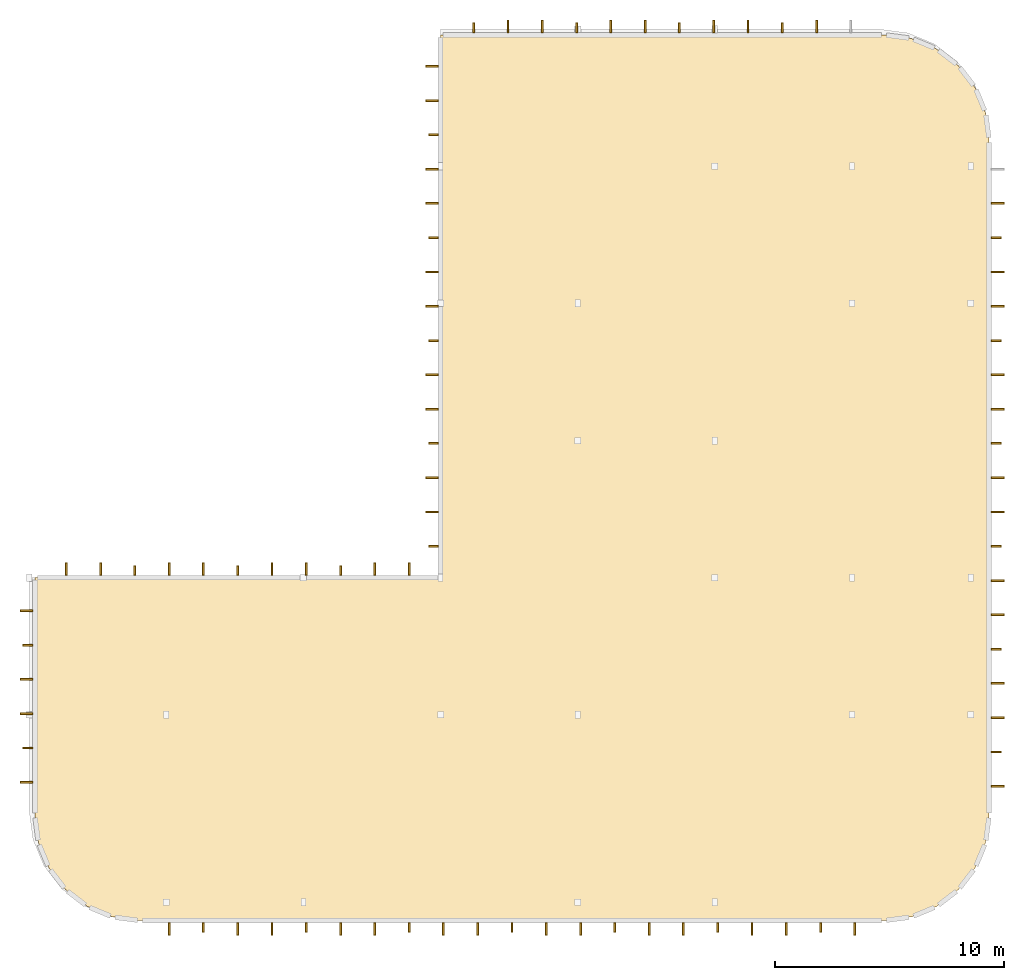
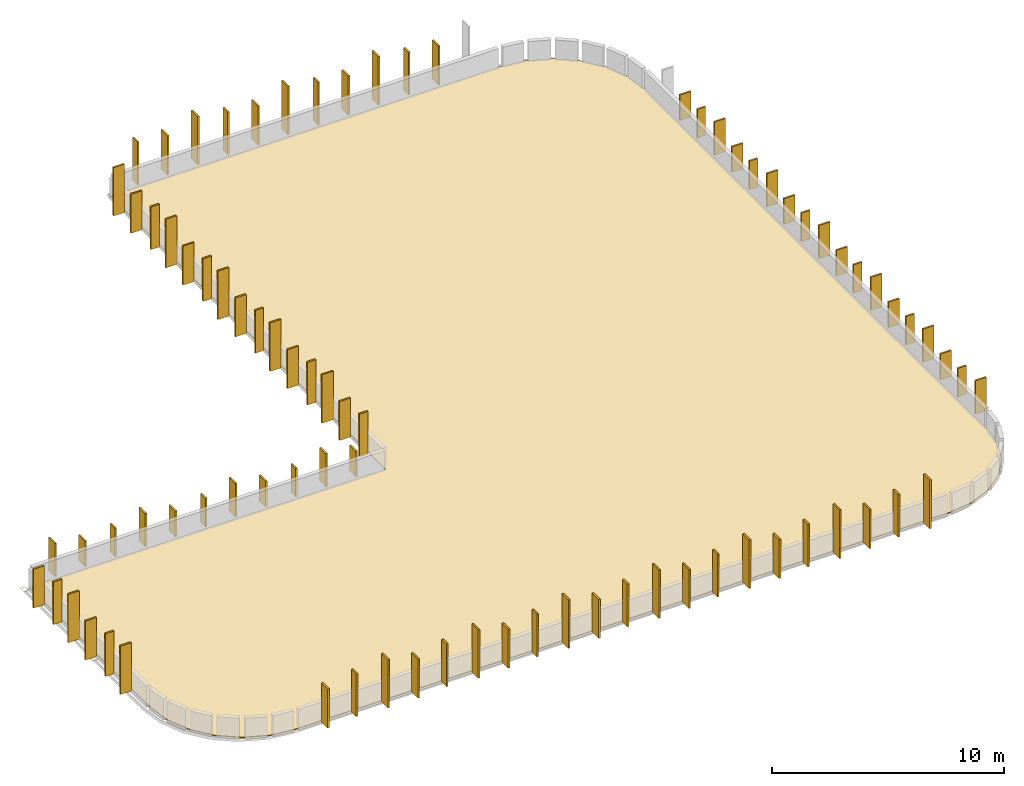
# One storey, part 2 of 3: 83 coverings.
"""IFC4 building model written with IfcOpenShell, lengths in metres."""

from ifc_helpers import new_model, si_unit, direction, frame, origin, origin_2d, place, context, subcontext, project, spatial, polyline, rectangle, outline, extrude, material, layer, layer_set, type_object, element, save


model = new_model("IFC4")

# Units and contexts
model_context = context("Model", 3, precision=1e-05, world=origin(), true_north=direction((0.0, 1.0)))
body_context = subcontext(model_context, "Body", "Model", "MODEL_VIEW")
ifc_project = project(units=[si_unit("LENGTHUNIT", "METRE"), si_unit("AREAUNIT", "SQUARE_METRE"), si_unit("VOLUMEUNIT", "CUBIC_METRE"), si_unit("PLANEANGLEUNIT", "RADIAN"), si_unit("MASSUNIT", "GRAM", prefix="KILO")], contexts=[model_context])

# Site, building, storey
site_placement = place(None, origin())
site = spatial("IfcSite", under=ifc_project, at=site_placement, CompositionType="ELEMENT")
building_placement = place(site_placement, origin())
building = spatial("IfcBuilding", under=site, at=building_placement, Name="Varnakota Square Police Headquarters", CompositionType="ELEMENT")
storey_placement = place(building_placement, frame((0.0, 0.0, 34.199951171875)))
storey = spatial("IfcBuildingStorey", under=building, at=storey_placement, Name="RF", CompositionType="ELEMENT", Elevation=34.199951171875)

# Coverings
ifc_material_1 = material(Name="White Anodised Aluminium Vertical Facade Blade 420", Category="aluminium")
ifc_layer_1 = layer(ifc_material_1, 0.0849609375, Name="White Anodised Aluminium Vertical Facade Blade 420")
ifc_layer_set_1 = layer_set([ifc_layer_1], Name="White Anodised Aluminium Vertical Facade Blade 420")
covering_type_1 = type_object("IfcCoveringType", Name="COV-FIN-420", PredefinedType="CLADDING", material=ifc_layer_set_1)
for number, where, z_axis, x_axis, name in (
    (1, (127.625, -0.31005859375, 0.050048828125), (0.0, 0.0, 1.0), (1.0, 0.0, 0.0), "Vertical aluminium facade fin FIN-1566"),
    (2, (132.125, -0.31005859375, 0.050048828125), (0.0, 0.0, 1.0), (1.0, 0.0, 0.0), "Vertical aluminium facade fin FIN-1569"),
    (3, (136.625, -0.31005859375, 0.050048828125), (0.0, 0.0, 1.0), (1.0, 0.0, 0.0), "Vertical aluminium facade fin FIN-1572"),
    (4, (141.125, -0.31005859375, 0.050048828125), (0.0, 0.0, 1.0), (1.0, 0.0, 0.0), "Vertical aluminium facade fin FIN-1575"),
    (5, (145.625, -0.31005859375, 0.050048828125), (0.0, 0.0, 1.0), (1.0, 0.0, 0.0), "Vertical aluminium facade fin FIN-1578"),
    (6, (150.125, -0.31005859375, 0.050048828125), (0.0, 0.0, 1.0), (1.0, 0.0, 0.0), "Vertical aluminium facade fin FIN-1581"),
    (7, (154.625, -0.31005859375, 0.050048828125), (0.0, 0.0, 1.0), (1.0, 0.0, 0.0), "Vertical aluminium facade fin FIN-1584"),
):
    element("IfcCovering", number, at=place(storey_placement, frame(where, z_axis=z_axis, x_axis=x_axis)), inside=storey, type_object=covering_type_1, Name=name, PredefinedType="CLADDING", context=body_context, shape_type="SweptSolid", body=[
        extrude(rectangle(XDim=0.0849609375, YDim=0.419921875, at=origin_2d()), origin(), (0.0, 0.0, 1.0), 2.25),
    ])
for number, where, z_axis, x_axis, name in (
    (8, (162.31005859375, 7.375, 0.050048828125), (0.0, 0.0, 1.0), (0.0, 1.0, 0.0), "Vertical aluminium facade fin FIN-1587"),
    (9, (162.31005859375, 11.875, 0.050048828125), (0.0, 0.0, 1.0), (0.0, 1.0, 0.0), "Vertical aluminium facade fin FIN-1590"),
    (10, (162.31005859375, 16.375, 0.050048828125), (0.0, 0.0, 1.0), (0.0, 1.0, 0.0), "Vertical aluminium facade fin FIN-1593"),
    (11, (162.31005859375, 20.875, 0.050048828125), (0.0, 0.0, 1.0), (0.0, 1.0, 0.0), "Vertical aluminium facade fin FIN-1596"),
    (12, (162.31005859375, 25.375, 0.050048828125), (0.0, 0.0, 1.0), (0.0, 1.0, 0.0), "Vertical aluminium facade fin FIN-1599"),
    (13, (162.31005859375, 29.875, 0.050048828125), (0.0, 0.0, 1.0), (0.0, 1.0, 0.0), "Vertical aluminium facade fin FIN-1602"),
):
    element("IfcCovering", number, at=place(storey_placement, frame(where, z_axis=z_axis, x_axis=x_axis)), inside=storey, type_object=covering_type_1, Name=name, PredefinedType="CLADDING", context=body_context, shape_type="SweptSolid", body=[
        extrude(rectangle(XDim=0.0849609375, YDim=0.419921875, at=origin_2d()), origin(), (0.0, 0.0, 1.0), 1.5),
    ])
for number, where, z_axis, x_axis, name in (
    (14, (152.949951171875, 39.06005859375, 0.050048828125), (0.0, 0.0, 1.0), (-1.0, 0.0, 0.0), "Vertical aluminium facade fin FIN-1607"),
    (15, (148.449951171875, 39.06005859375, 0.050048828125), (0.0, 0.0, 1.0), (-1.0, 0.0, 0.0), "Vertical aluminium facade fin FIN-1610"),
    (16, (143.949951171875, 39.06005859375, 0.050048828125), (0.0, 0.0, 1.0), (-1.0, 0.0, 0.0), "Vertical aluminium facade fin FIN-1613"),
    (17, (139.449951171875, 39.06005859375, 0.050048828125), (0.0, 0.0, 1.0), (-1.0, 0.0, 0.0), "Vertical aluminium facade fin FIN-1616"),
    (18, (137.68994140625, 34.375, 0.050048828125), (0.0, 0.0, 1.0), (0.0, -1.0, 0.0), "Vertical aluminium facade fin FIN-1619"),
    (19, (137.68994140625, 29.875, 0.050048828125), (0.0, 0.0, 1.0), (0.0, -1.0, 0.0), "Vertical aluminium facade fin FIN-1622"),
    (20, (137.68994140625, 25.375, 0.050048828125), (0.0, 0.0, 1.0), (0.0, -1.0, 0.0), "Vertical aluminium facade fin FIN-1625"),
    (21, (137.68994140625, 20.875, 0.050048828125), (0.0, 0.0, 1.0), (0.0, -1.0, 0.0), "Vertical aluminium facade fin FIN-1628"),
    (22, (137.68994140625, 16.375, 0.050048828125), (0.0, 0.0, 1.0), (0.0, -1.0, 0.0), "Vertical aluminium facade fin FIN-1631"),
):
    element("IfcCovering", number, at=place(storey_placement, frame(where, z_axis=z_axis, x_axis=x_axis)), inside=storey, type_object=covering_type_1, Name=name, PredefinedType="CLADDING", context=body_context, shape_type="SweptSolid", body=[
        extrude(rectangle(XDim=0.0849609375, YDim=0.419921875, at=origin_2d()), origin(), (0.0, 0.0, 1.0), 2.25),
    ])
for number, where, z_axis, x_axis, name in (
    (23, (133.625, 15.31005859375, 0.050048828125), (0.0, 0.0, 1.0), (-1.0, 0.0, 0.0), "Vertical aluminium facade fin FIN-1634"),
    (24, (129.125, 15.31005859375, 0.050048828125), (0.0, 0.0, 1.0), (-1.0, 0.0, 0.0), "Vertical aluminium facade fin FIN-1637"),
    (25, (124.625, 15.31005859375, 0.050048828125), (0.0, 0.0, 1.0), (-1.0, 0.0, 0.0), "Vertical aluminium facade fin FIN-1640"),
):
    element("IfcCovering", number, at=place(storey_placement, frame(where, z_axis=z_axis, x_axis=x_axis)), inside=storey, type_object=covering_type_1, Name=name, PredefinedType="CLADDING", context=body_context, shape_type="SweptSolid", body=[
        extrude(rectangle(XDim=0.0849609375, YDim=0.419921875, at=origin_2d()), origin(), (0.0, 0.0, 1.0), 1.5),
    ])
for number, where, z_axis, x_axis, name in (
    (26, (119.93994140625, 12.050048828125, 0.050048828125), (0.0, 0.0, 1.0), (0.0, -1.0, 0.0), "Vertical aluminium facade fin FIN-1644"),
    (27, (119.93994140625, 7.550048828125, 0.050048828125), (0.0, 0.0, 1.0), (0.0, -1.0, 0.0), "Vertical aluminium facade fin FIN-1647"),
):
    element("IfcCovering", number, at=place(storey_placement, frame(where, z_axis=z_axis, x_axis=x_axis)), inside=storey, type_object=covering_type_1, Name=name, PredefinedType="CLADDING", context=body_context, shape_type="SweptSolid", body=[
        extrude(rectangle(XDim=0.0849609375, YDim=0.419921875, at=origin_2d()), origin(), (0.0, 0.0, 1.0), 2.25),
    ])
ifc_material_2 = material(Name="White Anodised Aluminium Vertical Facade Blade 550", Category="aluminium")
ifc_layer_2 = layer(ifc_material_2, 0.0849609375, Name="White Anodised Aluminium Vertical Facade Blade 550")
ifc_layer_set_2 = layer_set([ifc_layer_2], Name="White Anodised Aluminium Vertical Facade Blade 550")
covering_type_2 = type_object("IfcCoveringType", Name="COV-FIN-550", PredefinedType="CLADDING", material=ifc_layer_set_2)
covering_1_placement = place(storey_placement, frame((126.125, -0.375, 0.0498046875), z_axis=(0.0, 0.0, 1.0), x_axis=(1.0, 0.0, 0.0)))
element("IfcCovering", 28, at=covering_1_placement, inside=storey, type_object=covering_type_2, Name="Vertical aluminium facade fin FIN-1565", PredefinedType="CLADDING", context=body_context, shape_type="SweptSolid", body=[
    extrude(rectangle(XDim=0.0849609375, YDim=0.550048828125, at=origin_2d()), origin(), (0.0, 0.0, 1.0), 2.050048828125),
])
covering_2_placement = place(storey_placement, frame((129.125, -0.375, 0.0498046875), z_axis=(0.0, 0.0, 1.0), x_axis=(1.0, 0.0, 0.0)))
element("IfcCovering", 29, at=covering_2_placement, inside=storey, type_object=covering_type_2, Name="Vertical aluminium facade fin FIN-1567", PredefinedType="CLADDING", context=body_context, shape_type="SweptSolid", body=[
    extrude(rectangle(XDim=0.0849609375, YDim=0.550048828125, at=origin_2d()), origin(), (0.0, 0.0, 1.0), 2.550048828125),
])
covering_3_placement = place(storey_placement, frame((130.625, -0.375, 0.0498046875), z_axis=(0.0, 0.0, 1.0), x_axis=(1.0, 0.0, 0.0)))
element("IfcCovering", 30, at=covering_3_placement, inside=storey, type_object=covering_type_2, Name="Vertical aluminium facade fin FIN-1568", PredefinedType="CLADDING", context=body_context, shape_type="SweptSolid", body=[
    extrude(rectangle(XDim=0.0849609375, YDim=0.550048828125, at=origin_2d()), origin(), (0.0, 0.0, 1.0), 2.050048828125),
])
covering_4_placement = place(storey_placement, frame((133.625, -0.375, 0.0498046875), z_axis=(0.0, 0.0, 1.0), x_axis=(1.0, 0.0, 0.0)))
element("IfcCovering", 31, at=covering_4_placement, inside=storey, type_object=covering_type_2, Name="Vertical aluminium facade fin FIN-1570", PredefinedType="CLADDING", context=body_context, shape_type="SweptSolid", body=[
    extrude(rectangle(XDim=0.0849609375, YDim=0.550048828125, at=origin_2d()), origin(), (0.0, 0.0, 1.0), 2.550048828125),
])
covering_5_placement = place(storey_placement, frame((135.125, -0.375, 0.0498046875), z_axis=(0.0, 0.0, 1.0), x_axis=(1.0, 0.0, 0.0)))
element("IfcCovering", 32, at=covering_5_placement, inside=storey, type_object=covering_type_2, Name="Vertical aluminium facade fin FIN-1571", PredefinedType="CLADDING", context=body_context, shape_type="SweptSolid", body=[
    extrude(rectangle(XDim=0.0849609375, YDim=0.550048828125, at=origin_2d()), origin(), (0.0, 0.0, 1.0), 2.050048828125),
])
covering_6_placement = place(storey_placement, frame((138.125, -0.375, 0.0498046875), z_axis=(0.0, 0.0, 1.0), x_axis=(1.0, 0.0, 0.0)))
element("IfcCovering", 33, at=covering_6_placement, inside=storey, type_object=covering_type_2, Name="Vertical aluminium facade fin FIN-1573", PredefinedType="CLADDING", context=body_context, shape_type="SweptSolid", body=[
    extrude(rectangle(XDim=0.0849609375, YDim=0.550048828125, at=origin_2d()), origin(), (0.0, 0.0, 1.0), 2.550048828125),
])
covering_7_placement = place(storey_placement, frame((139.625, -0.375, 0.0498046875), z_axis=(0.0, 0.0, 1.0), x_axis=(1.0, 0.0, 0.0)))
element("IfcCovering", 34, at=covering_7_placement, inside=storey, type_object=covering_type_2, Name="Vertical aluminium facade fin FIN-1574", PredefinedType="CLADDING", context=body_context, shape_type="SweptSolid", body=[
    extrude(rectangle(XDim=0.0849609375, YDim=0.550048828125, at=origin_2d()), origin(), (0.0, 0.0, 1.0), 2.050048828125),
])
covering_8_placement = place(storey_placement, frame((142.625, -0.375, 0.0498046875), z_axis=(0.0, 0.0, 1.0), x_axis=(1.0, 0.0, 0.0)))
element("IfcCovering", 35, at=covering_8_placement, inside=storey, type_object=covering_type_2, Name="Vertical aluminium facade fin FIN-1576", PredefinedType="CLADDING", context=body_context, shape_type="SweptSolid", body=[
    extrude(rectangle(XDim=0.0849609375, YDim=0.550048828125, at=origin_2d()), origin(), (0.0, 0.0, 1.0), 2.550048828125),
])
covering_9_placement = place(storey_placement, frame((144.125, -0.375, 0.0498046875), z_axis=(0.0, 0.0, 1.0), x_axis=(1.0, 0.0, 0.0)))
element("IfcCovering", 36, at=covering_9_placement, inside=storey, type_object=covering_type_2, Name="Vertical aluminium facade fin FIN-1577", PredefinedType="CLADDING", context=body_context, shape_type="SweptSolid", body=[
    extrude(rectangle(XDim=0.0849609375, YDim=0.550048828125, at=origin_2d()), origin(), (0.0, 0.0, 1.0), 2.050048828125),
])
covering_10_placement = place(storey_placement, frame((147.125, -0.375, 0.0498046875), z_axis=(0.0, 0.0, 1.0), x_axis=(1.0, 0.0, 0.0)))
element("IfcCovering", 37, at=covering_10_placement, inside=storey, type_object=covering_type_2, Name="Vertical aluminium facade fin FIN-1579", PredefinedType="CLADDING", context=body_context, shape_type="SweptSolid", body=[
    extrude(rectangle(XDim=0.0849609375, YDim=0.550048828125, at=origin_2d()), origin(), (0.0, 0.0, 1.0), 2.550048828125),
])
covering_11_placement = place(storey_placement, frame((148.625, -0.375, 0.0498046875), z_axis=(0.0, 0.0, 1.0), x_axis=(1.0, 0.0, 0.0)))
element("IfcCovering", 38, at=covering_11_placement, inside=storey, type_object=covering_type_2, Name="Vertical aluminium facade fin FIN-1580", PredefinedType="CLADDING", context=body_context, shape_type="SweptSolid", body=[
    extrude(rectangle(XDim=0.0849609375, YDim=0.550048828125, at=origin_2d()), origin(), (0.0, 0.0, 1.0), 2.050048828125),
])
covering_12_placement = place(storey_placement, frame((151.625, -0.375, 0.0498046875), z_axis=(0.0, 0.0, 1.0), x_axis=(1.0, 0.0, 0.0)))
element("IfcCovering", 39, at=covering_12_placement, inside=storey, type_object=covering_type_2, Name="Vertical aluminium facade fin FIN-1582", PredefinedType="CLADDING", context=body_context, shape_type="SweptSolid", body=[
    extrude(rectangle(XDim=0.0849609375, YDim=0.550048828125, at=origin_2d()), origin(), (0.0, 0.0, 1.0), 2.550048828125),
])
covering_13_placement = place(storey_placement, frame((153.125, -0.375, 0.0498046875), z_axis=(0.0, 0.0, 1.0), x_axis=(1.0, 0.0, 0.0)))
element("IfcCovering", 40, at=covering_13_placement, inside=storey, type_object=covering_type_2, Name="Vertical aluminium facade fin FIN-1583", PredefinedType="CLADDING", context=body_context, shape_type="SweptSolid", body=[
    extrude(rectangle(XDim=0.0849609375, YDim=0.550048828125, at=origin_2d()), origin(), (0.0, 0.0, 1.0), 2.050048828125),
])
covering_14_placement = place(storey_placement, frame((156.125, -0.375, 0.0498046875), z_axis=(0.0, 0.0, 1.0), x_axis=(1.0, 0.0, 0.0)))
element("IfcCovering", 41, at=covering_14_placement, inside=storey, type_object=covering_type_2, Name="Vertical aluminium facade fin FIN-1585", PredefinedType="CLADDING", context=body_context, shape_type="SweptSolid", body=[
    extrude(rectangle(XDim=0.0849609375, YDim=0.550048828125, at=origin_2d()), origin(), (0.0, 0.0, 1.0), 2.550048828125),
])
covering_15_placement = place(storey_placement, frame((162.375, 5.875, 0.050048828125), z_axis=(0.0, 0.0, 1.0), x_axis=(0.0, 1.0, 0.0)))
element("IfcCovering", 42, at=covering_15_placement, inside=storey, type_object=covering_type_2, Name="Vertical aluminium facade fin FIN-1586", PredefinedType="CLADDING", context=body_context, shape_type="SweptSolid", body=[
    extrude(rectangle(XDim=0.0849609375, YDim=0.550048828125, at=origin_2d()), origin(), (0.0, 0.0, 1.0), 1.75),
])
covering_16_placement = place(storey_placement, frame((162.375, 8.875, 0.050048828125), z_axis=(0.0, 0.0, 1.0), x_axis=(0.0, 1.0, 0.0)))
element("IfcCovering", 43, at=covering_16_placement, inside=storey, type_object=covering_type_2, Name="Vertical aluminium facade fin FIN-1588", PredefinedType="CLADDING", context=body_context, shape_type="SweptSolid", body=[
    extrude(rectangle(XDim=0.0849609375, YDim=0.550048828125, at=origin_2d()), origin(), (0.0, 0.0, 1.0), 1.35009765625),
])
covering_17_placement = place(storey_placement, frame((162.375, 10.375, 0.050048828125), z_axis=(0.0, 0.0, 1.0), x_axis=(0.0, 1.0, 0.0)))
element("IfcCovering", 44, at=covering_17_placement, inside=storey, type_object=covering_type_2, Name="Vertical aluminium facade fin FIN-1589", PredefinedType="CLADDING", context=body_context, shape_type="SweptSolid", body=[
    extrude(rectangle(XDim=0.0849609375, YDim=0.550048828125, at=origin_2d()), origin(), (0.0, 0.0, 1.0), 1.75),
])
covering_18_placement = place(storey_placement, frame((162.375, 13.375, 0.050048828125), z_axis=(0.0, 0.0, 1.0), x_axis=(0.0, 1.0, 0.0)))
element("IfcCovering", 45, at=covering_18_placement, inside=storey, type_object=covering_type_2, Name="Vertical aluminium facade fin FIN-1591", PredefinedType="CLADDING", context=body_context, shape_type="SweptSolid", body=[
    extrude(rectangle(XDim=0.0849609375, YDim=0.550048828125, at=origin_2d()), origin(), (0.0, 0.0, 1.0), 1.35009765625),
])
covering_19_placement = place(storey_placement, frame((162.375, 14.875, 0.050048828125), z_axis=(0.0, 0.0, 1.0), x_axis=(0.0, 1.0, 0.0)))
element("IfcCovering", 46, at=covering_19_placement, inside=storey, type_object=covering_type_2, Name="Vertical aluminium facade fin FIN-1592", PredefinedType="CLADDING", context=body_context, shape_type="SweptSolid", body=[
    extrude(rectangle(XDim=0.0849609375, YDim=0.550048828125, at=origin_2d()), origin(), (0.0, 0.0, 1.0), 1.75),
])
covering_20_placement = place(storey_placement, frame((162.375, 17.875, 0.050048828125), z_axis=(0.0, 0.0, 1.0), x_axis=(0.0, 1.0, 0.0)))
element("IfcCovering", 47, at=covering_20_placement, inside=storey, type_object=covering_type_2, Name="Vertical aluminium facade fin FIN-1594", PredefinedType="CLADDING", context=body_context, shape_type="SweptSolid", body=[
    extrude(rectangle(XDim=0.0849609375, YDim=0.550048828125, at=origin_2d()), origin(), (0.0, 0.0, 1.0), 1.35009765625),
])
covering_21_placement = place(storey_placement, frame((162.375, 19.375, 0.050048828125), z_axis=(0.0, 0.0, 1.0), x_axis=(0.0, 1.0, 0.0)))
element("IfcCovering", 48, at=covering_21_placement, inside=storey, type_object=covering_type_2, Name="Vertical aluminium facade fin FIN-1595", PredefinedType="CLADDING", context=body_context, shape_type="SweptSolid", body=[
    extrude(rectangle(XDim=0.0849609375, YDim=0.550048828125, at=origin_2d()), origin(), (0.0, 0.0, 1.0), 1.75),
])
covering_22_placement = place(storey_placement, frame((162.375, 22.375, 0.050048828125), z_axis=(0.0, 0.0, 1.0), x_axis=(0.0, 1.0, 0.0)))
element("IfcCovering", 49, at=covering_22_placement, inside=storey, type_object=covering_type_2, Name="Vertical aluminium facade fin FIN-1597", PredefinedType="CLADDING", context=body_context, shape_type="SweptSolid", body=[
    extrude(rectangle(XDim=0.0849609375, YDim=0.550048828125, at=origin_2d()), origin(), (0.0, 0.0, 1.0), 1.35009765625),
])
covering_23_placement = place(storey_placement, frame((162.375, 23.875, 0.050048828125), z_axis=(0.0, 0.0, 1.0), x_axis=(0.0, 1.0, 0.0)))
element("IfcCovering", 50, at=covering_23_placement, inside=storey, type_object=covering_type_2, Name="Vertical aluminium facade fin FIN-1598", PredefinedType="CLADDING", context=body_context, shape_type="SweptSolid", body=[
    extrude(rectangle(XDim=0.0849609375, YDim=0.550048828125, at=origin_2d()), origin(), (0.0, 0.0, 1.0), 1.75),
])
covering_24_placement = place(storey_placement, frame((162.375, 26.875, 0.050048828125), z_axis=(0.0, 0.0, 1.0), x_axis=(0.0, 1.0, 0.0)))
element("IfcCovering", 51, at=covering_24_placement, inside=storey, type_object=covering_type_2, Name="Vertical aluminium facade fin FIN-1600", PredefinedType="CLADDING", context=body_context, shape_type="SweptSolid", body=[
    extrude(rectangle(XDim=0.0849609375, YDim=0.550048828125, at=origin_2d()), origin(), (0.0, 0.0, 1.0), 1.35009765625),
])
covering_25_placement = place(storey_placement, frame((162.375, 28.375, 0.050048828125), z_axis=(0.0, 0.0, 1.0), x_axis=(0.0, 1.0, 0.0)))
element("IfcCovering", 52, at=covering_25_placement, inside=storey, type_object=covering_type_2, Name="Vertical aluminium facade fin FIN-1601", PredefinedType="CLADDING", context=body_context, shape_type="SweptSolid", body=[
    extrude(rectangle(XDim=0.0849609375, YDim=0.550048828125, at=origin_2d()), origin(), (0.0, 0.0, 1.0), 1.75),
])
covering_26_placement = place(storey_placement, frame((162.375, 31.375, 0.050048828125), z_axis=(0.0, 0.0, 1.0), x_axis=(0.0, 1.0, 0.0)))
element("IfcCovering", 53, at=covering_26_placement, inside=storey, type_object=covering_type_2, Name="Vertical aluminium facade fin FIN-1603", PredefinedType="CLADDING", context=body_context, shape_type="SweptSolid", body=[
    extrude(rectangle(XDim=0.0849609375, YDim=0.550048828125, at=origin_2d()), origin(), (0.0, 0.0, 1.0), 1.35009765625),
])
covering_27_placement = place(storey_placement, frame((154.449951171875, 39.125, 0.0498046875), z_axis=(0.0, 0.0, 1.0), x_axis=(-1.0, 0.0, 0.0)))
element("IfcCovering", 54, at=covering_27_placement, inside=storey, type_object=covering_type_2, Name="Vertical aluminium facade fin FIN-1606", PredefinedType="CLADDING", context=body_context, shape_type="SweptSolid", body=[
    extrude(rectangle(XDim=0.0849609375, YDim=0.550048828125, at=origin_2d()), origin(), (0.0, 0.0, 1.0), 2.050048828125),
])
covering_28_placement = place(storey_placement, frame((151.449951171875, 39.125, 0.0498046875), z_axis=(0.0, 0.0, 1.0), x_axis=(-1.0, 0.0, 0.0)))
element("IfcCovering", 55, at=covering_28_placement, inside=storey, type_object=covering_type_2, Name="Vertical aluminium facade fin FIN-1608", PredefinedType="CLADDING", context=body_context, shape_type="SweptSolid", body=[
    extrude(rectangle(XDim=0.0849609375, YDim=0.550048828125, at=origin_2d()), origin(), (0.0, 0.0, 1.0), 2.550048828125),
])
covering_29_placement = place(storey_placement, frame((149.949951171875, 39.125, 0.0498046875), z_axis=(0.0, 0.0, 1.0), x_axis=(-1.0, 0.0, 0.0)))
element("IfcCovering", 56, at=covering_29_placement, inside=storey, type_object=covering_type_2, Name="Vertical aluminium facade fin FIN-1609", PredefinedType="CLADDING", context=body_context, shape_type="SweptSolid", body=[
    extrude(rectangle(XDim=0.0849609375, YDim=0.550048828125, at=origin_2d()), origin(), (0.0, 0.0, 1.0), 2.050048828125),
])
covering_30_placement = place(storey_placement, frame((146.949951171875, 39.125, 0.0498046875), z_axis=(0.0, 0.0, 1.0), x_axis=(-1.0, 0.0, 0.0)))
element("IfcCovering", 57, at=covering_30_placement, inside=storey, type_object=covering_type_2, Name="Vertical aluminium facade fin FIN-1611", PredefinedType="CLADDING", context=body_context, shape_type="SweptSolid", body=[
    extrude(rectangle(XDim=0.0849609375, YDim=0.550048828125, at=origin_2d()), origin(), (0.0, 0.0, 1.0), 2.550048828125),
])
covering_31_placement = place(storey_placement, frame((145.449951171875, 39.125, 0.0498046875), z_axis=(0.0, 0.0, 1.0), x_axis=(-1.0, 0.0, 0.0)))
element("IfcCovering", 58, at=covering_31_placement, inside=storey, type_object=covering_type_2, Name="Vertical aluminium facade fin FIN-1612", PredefinedType="CLADDING", context=body_context, shape_type="SweptSolid", body=[
    extrude(rectangle(XDim=0.0849609375, YDim=0.550048828125, at=origin_2d()), origin(), (0.0, 0.0, 1.0), 2.050048828125),
])
covering_32_placement = place(storey_placement, frame((142.449951171875, 39.125, 0.0498046875), z_axis=(0.0, 0.0, 1.0), x_axis=(-1.0, 0.0, 0.0)))
element("IfcCovering", 59, at=covering_32_placement, inside=storey, type_object=covering_type_2, Name="Vertical aluminium facade fin FIN-1614", PredefinedType="CLADDING", context=body_context, shape_type="SweptSolid", body=[
    extrude(rectangle(XDim=0.0849609375, YDim=0.550048828125, at=origin_2d()), origin(), (0.0, 0.0, 1.0), 2.550048828125),
])
covering_33_placement = place(storey_placement, frame((140.949951171875, 39.125, 0.0498046875), z_axis=(0.0, 0.0, 1.0), x_axis=(-1.0, 0.0, 0.0)))
element("IfcCovering", 60, at=covering_33_placement, inside=storey, type_object=covering_type_2, Name="Vertical aluminium facade fin FIN-1615", PredefinedType="CLADDING", context=body_context, shape_type="SweptSolid", body=[
    extrude(rectangle(XDim=0.0849609375, YDim=0.550048828125, at=origin_2d()), origin(), (0.0, 0.0, 1.0), 2.050048828125),
])
covering_34_placement = place(storey_placement, frame((137.625, 37.375, 0.0498046875), z_axis=(0.0, 0.0, 1.0), x_axis=(0.0, -1.0, 0.0)))
element("IfcCovering", 61, at=covering_34_placement, inside=storey, type_object=covering_type_2, Name="Vertical aluminium facade fin FIN-1617", PredefinedType="CLADDING", context=body_context, shape_type="SweptSolid", body=[
    extrude(rectangle(XDim=0.0849609375, YDim=0.550048828125, at=origin_2d()), origin(), (0.0, 0.0, 1.0), 2.550048828125),
])
covering_35_placement = place(storey_placement, frame((137.625, 35.875, 0.0498046875), z_axis=(0.0, 0.0, 1.0), x_axis=(0.0, -1.0, 0.0)))
element("IfcCovering", 62, at=covering_35_placement, inside=storey, type_object=covering_type_2, Name="Vertical aluminium facade fin FIN-1618", PredefinedType="CLADDING", context=body_context, shape_type="SweptSolid", body=[
    extrude(rectangle(XDim=0.0849609375, YDim=0.550048828125, at=origin_2d()), origin(), (0.0, 0.0, 1.0), 2.050048828125),
])
covering_36_placement = place(storey_placement, frame((137.625, 32.875, 0.0498046875), z_axis=(0.0, 0.0, 1.0), x_axis=(0.0, -1.0, 0.0)))
element("IfcCovering", 63, at=covering_36_placement, inside=storey, type_object=covering_type_2, Name="Vertical aluminium facade fin FIN-1620", PredefinedType="CLADDING", context=body_context, shape_type="SweptSolid", body=[
    extrude(rectangle(XDim=0.0849609375, YDim=0.550048828125, at=origin_2d()), origin(), (0.0, 0.0, 1.0), 2.550048828125),
])
covering_37_placement = place(storey_placement, frame((137.625, 31.375, 0.0498046875), z_axis=(0.0, 0.0, 1.0), x_axis=(0.0, -1.0, 0.0)))
element("IfcCovering", 64, at=covering_37_placement, inside=storey, type_object=covering_type_2, Name="Vertical aluminium facade fin FIN-1621", PredefinedType="CLADDING", context=body_context, shape_type="SweptSolid", body=[
    extrude(rectangle(XDim=0.0849609375, YDim=0.550048828125, at=origin_2d()), origin(), (0.0, 0.0, 1.0), 2.050048828125),
])
covering_38_placement = place(storey_placement, frame((137.625, 28.375, 0.0498046875), z_axis=(0.0, 0.0, 1.0), x_axis=(0.0, -1.0, 0.0)))
element("IfcCovering", 65, at=covering_38_placement, inside=storey, type_object=covering_type_2, Name="Vertical aluminium facade fin FIN-1623", PredefinedType="CLADDING", context=body_context, shape_type="SweptSolid", body=[
    extrude(rectangle(XDim=0.0849609375, YDim=0.550048828125, at=origin_2d()), origin(), (0.0, 0.0, 1.0), 2.550048828125),
])
covering_39_placement = place(storey_placement, frame((137.625, 26.875, 0.0498046875), z_axis=(0.0, 0.0, 1.0), x_axis=(0.0, -1.0, 0.0)))
element("IfcCovering", 66, at=covering_39_placement, inside=storey, type_object=covering_type_2, Name="Vertical aluminium facade fin FIN-1624", PredefinedType="CLADDING", context=body_context, shape_type="SweptSolid", body=[
    extrude(rectangle(XDim=0.0849609375, YDim=0.550048828125, at=origin_2d()), origin(), (0.0, 0.0, 1.0), 2.050048828125),
])
covering_40_placement = place(storey_placement, frame((137.625, 23.875, 0.0498046875), z_axis=(0.0, 0.0, 1.0), x_axis=(0.0, -1.0, 0.0)))
element("IfcCovering", 67, at=covering_40_placement, inside=storey, type_object=covering_type_2, Name="Vertical aluminium facade fin FIN-1626", PredefinedType="CLADDING", context=body_context, shape_type="SweptSolid", body=[
    extrude(rectangle(XDim=0.0849609375, YDim=0.550048828125, at=origin_2d()), origin(), (0.0, 0.0, 1.0), 2.550048828125),
])
covering_41_placement = place(storey_placement, frame((137.625, 22.375, 0.0498046875), z_axis=(0.0, 0.0, 1.0), x_axis=(0.0, -1.0, 0.0)))
element("IfcCovering", 68, at=covering_41_placement, inside=storey, type_object=covering_type_2, Name="Vertical aluminium facade fin FIN-1627", PredefinedType="CLADDING", context=body_context, shape_type="SweptSolid", body=[
    extrude(rectangle(XDim=0.0849609375, YDim=0.550048828125, at=origin_2d()), origin(), (0.0, 0.0, 1.0), 2.050048828125),
])
covering_42_placement = place(storey_placement, frame((137.625, 19.375, 0.0498046875), z_axis=(0.0, 0.0, 1.0), x_axis=(0.0, -1.0, 0.0)))
element("IfcCovering", 69, at=covering_42_placement, inside=storey, type_object=covering_type_2, Name="Vertical aluminium facade fin FIN-1629", PredefinedType="CLADDING", context=body_context, shape_type="SweptSolid", body=[
    extrude(rectangle(XDim=0.0849609375, YDim=0.550048828125, at=origin_2d()), origin(), (0.0, 0.0, 1.0), 2.550048828125),
])
covering_43_placement = place(storey_placement, frame((137.625, 17.875, 0.0498046875), z_axis=(0.0, 0.0, 1.0), x_axis=(0.0, -1.0, 0.0)))
element("IfcCovering", 70, at=covering_43_placement, inside=storey, type_object=covering_type_2, Name="Vertical aluminium facade fin FIN-1630", PredefinedType="CLADDING", context=body_context, shape_type="SweptSolid", body=[
    extrude(rectangle(XDim=0.0849609375, YDim=0.550048828125, at=origin_2d()), origin(), (0.0, 0.0, 1.0), 2.050048828125),
])
covering_44_placement = place(storey_placement, frame((136.625, 15.375, 0.050048828125), z_axis=(0.0, 0.0, 1.0), x_axis=(-1.0, 0.0, 0.0)))
element("IfcCovering", 71, at=covering_44_placement, inside=storey, type_object=covering_type_2, Name="Vertical aluminium facade fin FIN-1632", PredefinedType="CLADDING", context=body_context, shape_type="SweptSolid", body=[
    extrude(rectangle(XDim=0.0849609375, YDim=0.550048828125, at=origin_2d()), origin(), (0.0, 0.0, 1.0), 1.35009765625),
])
covering_45_placement = place(storey_placement, frame((135.125, 15.375, 0.050048828125), z_axis=(0.0, 0.0, 1.0), x_axis=(-1.0, 0.0, 0.0)))
element("IfcCovering", 72, at=covering_45_placement, inside=storey, type_object=covering_type_2, Name="Vertical aluminium facade fin FIN-1633", PredefinedType="CLADDING", context=body_context, shape_type="SweptSolid", body=[
    extrude(rectangle(XDim=0.0849609375, YDim=0.550048828125, at=origin_2d()), origin(), (0.0, 0.0, 1.0), 1.75),
])
covering_46_placement = place(storey_placement, frame((132.125, 15.375, 0.050048828125), z_axis=(0.0, 0.0, 1.0), x_axis=(-1.0, 0.0, 0.0)))
element("IfcCovering", 73, at=covering_46_placement, inside=storey, type_object=covering_type_2, Name="Vertical aluminium facade fin FIN-1635", PredefinedType="CLADDING", context=body_context, shape_type="SweptSolid", body=[
    extrude(rectangle(XDim=0.0849609375, YDim=0.550048828125, at=origin_2d()), origin(), (0.0, 0.0, 1.0), 1.35009765625),
])
covering_47_placement = place(storey_placement, frame((130.625, 15.375, 0.050048828125), z_axis=(0.0, 0.0, 1.0), x_axis=(-1.0, 0.0, 0.0)))
element("IfcCovering", 74, at=covering_47_placement, inside=storey, type_object=covering_type_2, Name="Vertical aluminium facade fin FIN-1636", PredefinedType="CLADDING", context=body_context, shape_type="SweptSolid", body=[
    extrude(rectangle(XDim=0.0849609375, YDim=0.550048828125, at=origin_2d()), origin(), (0.0, 0.0, 1.0), 1.75),
])
covering_48_placement = place(storey_placement, frame((127.625, 15.375, 0.050048828125), z_axis=(0.0, 0.0, 1.0), x_axis=(-1.0, 0.0, 0.0)))
element("IfcCovering", 75, at=covering_48_placement, inside=storey, type_object=covering_type_2, Name="Vertical aluminium facade fin FIN-1638", PredefinedType="CLADDING", context=body_context, shape_type="SweptSolid", body=[
    extrude(rectangle(XDim=0.0849609375, YDim=0.550048828125, at=origin_2d()), origin(), (0.0, 0.0, 1.0), 1.35009765625),
])
covering_49_placement = place(storey_placement, frame((126.125, 15.375, 0.050048828125), z_axis=(0.0, 0.0, 1.0), x_axis=(-1.0, 0.0, 0.0)))
element("IfcCovering", 76, at=covering_49_placement, inside=storey, type_object=covering_type_2, Name="Vertical aluminium facade fin FIN-1639", PredefinedType="CLADDING", context=body_context, shape_type="SweptSolid", body=[
    extrude(rectangle(XDim=0.0849609375, YDim=0.550048828125, at=origin_2d()), origin(), (0.0, 0.0, 1.0), 1.75),
])
covering_50_placement = place(storey_placement, frame((123.125, 15.375, 0.050048828125), z_axis=(0.0, 0.0, 1.0), x_axis=(-1.0, 0.0, 0.0)))
element("IfcCovering", 77, at=covering_50_placement, inside=storey, type_object=covering_type_2, Name="Vertical aluminium facade fin FIN-1641", PredefinedType="CLADDING", context=body_context, shape_type="SweptSolid", body=[
    extrude(rectangle(XDim=0.0849609375, YDim=0.550048828125, at=origin_2d()), origin(), (0.0, 0.0, 1.0), 1.35009765625),
])
covering_51_placement = place(storey_placement, frame((121.625, 15.375, 0.050048828125), z_axis=(0.0, 0.0, 1.0), x_axis=(-1.0, 0.0, 0.0)))
element("IfcCovering", 78, at=covering_51_placement, inside=storey, type_object=covering_type_2, Name="Vertical aluminium facade fin FIN-1642", PredefinedType="CLADDING", context=body_context, shape_type="SweptSolid", body=[
    extrude(rectangle(XDim=0.0849609375, YDim=0.550048828125, at=origin_2d()), origin(), (0.0, 0.0, 1.0), 1.75),
])
covering_52_placement = place(storey_placement, frame((119.875, 13.550048828125, 0.0498046875), z_axis=(0.0, 0.0, 1.0), x_axis=(0.0, -1.0, 0.0)))
element("IfcCovering", 79, at=covering_52_placement, inside=storey, type_object=covering_type_2, Name="Vertical aluminium facade fin FIN-1643", PredefinedType="CLADDING", context=body_context, shape_type="SweptSolid", body=[
    extrude(rectangle(XDim=0.0849609375, YDim=0.550048828125, at=origin_2d()), origin(), (0.0, 0.0, 1.0), 2.050048828125),
])
covering_53_placement = place(storey_placement, frame((119.875, 10.550048828125, 0.0498046875), z_axis=(0.0, 0.0, 1.0), x_axis=(0.0, -1.0, 0.0)))
element("IfcCovering", 80, at=covering_53_placement, inside=storey, type_object=covering_type_2, Name="Vertical aluminium facade fin FIN-1645", PredefinedType="CLADDING", context=body_context, shape_type="SweptSolid", body=[
    extrude(rectangle(XDim=0.0849609375, YDim=0.550048828125, at=origin_2d()), origin(), (0.0, 0.0, 1.0), 2.550048828125),
])
covering_54_placement = place(storey_placement, frame((119.875, 9.050048828125, 0.0498046875), z_axis=(0.0, 0.0, 1.0), x_axis=(0.0, -1.0, 0.0)))
element("IfcCovering", 81, at=covering_54_placement, inside=storey, type_object=covering_type_2, Name="Vertical aluminium facade fin FIN-1646", PredefinedType="CLADDING", context=body_context, shape_type="SweptSolid", body=[
    extrude(rectangle(XDim=0.0849609375, YDim=0.550048828125, at=origin_2d()), origin(), (0.0, 0.0, 1.0), 2.050048828125),
])
covering_55_placement = place(storey_placement, frame((119.875, 6.050048828125, 0.0498046875), z_axis=(0.0, 0.0, 1.0), x_axis=(0.0, -1.0, 0.0)))
element("IfcCovering", 82, at=covering_55_placement, inside=storey, type_object=covering_type_2, Name="Vertical aluminium facade fin FIN-1648", PredefinedType="CLADDING", context=body_context, shape_type="SweptSolid", body=[
    extrude(rectangle(XDim=0.0849609375, YDim=0.550048828125, at=origin_2d()), origin(), (0.0, 0.0, 1.0), 2.550048828125),
])
ifc_material_3 = material(Name="High-Albedo White TPO Waterproofing Membrane")
ifc_layer_3 = layer(ifc_material_3, 0.0400390625, Name="High-Albedo White TPO Waterproofing Membrane")
ifc_layer_set_3 = layer_set([ifc_layer_3], Name="High-Albedo White TPO Waterproofing Membrane")
covering_type_3 = type_object("IfcCoveringType", Name="COV-RF-MEM", PredefinedType="ROOFING", material=ifc_layer_set_3)
covering_56_placement = place(storey_placement, origin())
element("IfcCovering", 83, at=covering_56_placement, inside=storey, type_object=covering_type_3, Name="Roof waterproofing membrane RF-MAIN-V5", PredefinedType="ROOFING", context=body_context, shape_type="SweptSolid", body=[
    extrude(outline(polyline([(120.25, 4.60009765625), (120.40673828125, 3.409423828125), (120.8662109375, 2.300048828125), (121.597412109375, 1.347412109375), (122.550048828125, 0.6162109375), (123.659423828125, 0.15673828125), (124.85009765625, 0.0), (157.39990234375, 0.0), (158.590576171875, 0.15673828125), (159.699951171875, 0.6162109375), (160.652587890625, 1.347412109375), (161.3837890625, 2.300048828125), (161.84326171875, 3.409423828125), (162.0, 4.60009765625), (162.0, 34.14990234375), (161.84326171875, 35.340576171875), (161.3837890625, 36.449951171875), (160.652587890625, 37.402587890625), (159.699951171875, 38.1337890625), (158.590576171875, 38.59326171875), (157.39990234375, 38.75), (138.0, 38.75), (138.0, 15.0), (120.25, 15.0), (120.25, 4.60009765625)])), origin(), (0.0, 0.0, 1.0), 0.0400390625),
])

save(model, "model.ifc")
